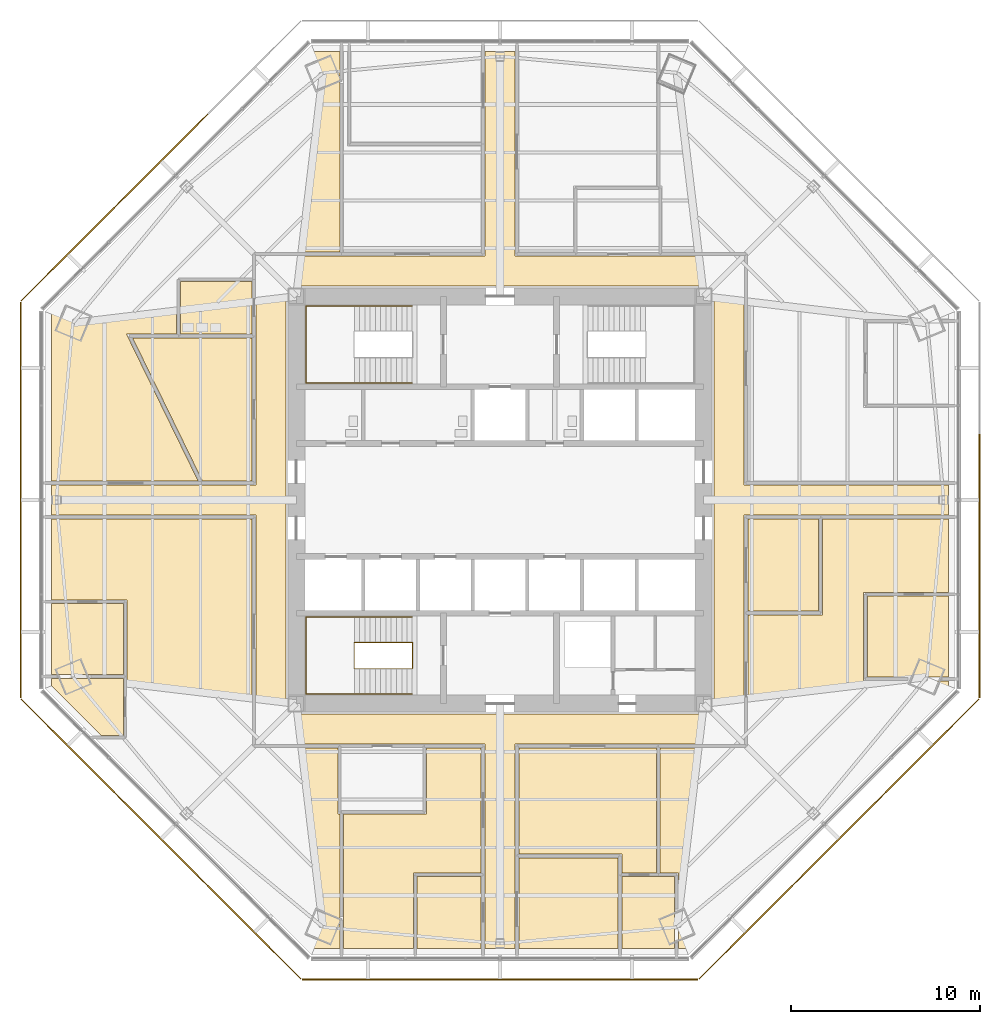
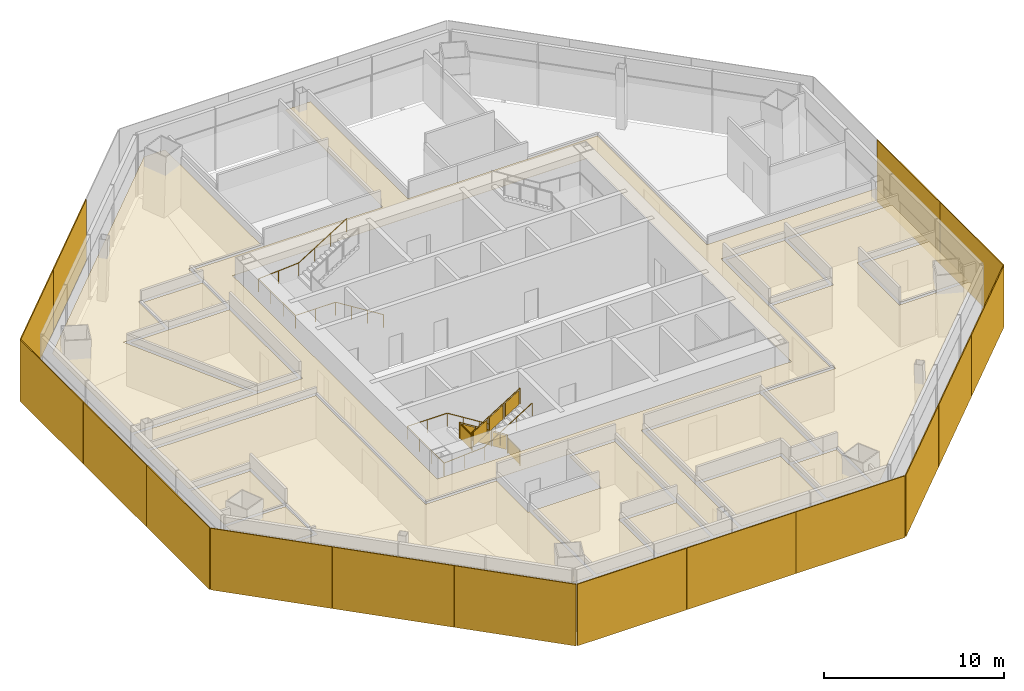
# One storey, part 12 of 14: 16 shading devices, 15 coverings, 3 railings.
"""IFC4 building model written with IfcOpenShell, lengths in metres."""

from ifc_helpers import new_model, si_unit, direction, frame, origin, origin_2d, place, context, subcontext, project, spatial, polyline, rectangle, circle, outline, extrude, source, transform, mapped, material, layer, layer_set, type_object, type_shapes, element, save


model = new_model("IFC4")

# Units and contexts
model_context = context("Model", 3, precision=1e-05, world=origin(), true_north=direction((0.0, 1.0)))
body_context = subcontext(model_context, "Body", "Model", "MODEL_VIEW")
ifc_project = project(units=[si_unit("LENGTHUNIT", "METRE"), si_unit("AREAUNIT", "SQUARE_METRE"), si_unit("VOLUMEUNIT", "CUBIC_METRE"), si_unit("PLANEANGLEUNIT", "RADIAN"), si_unit("MASSUNIT", "GRAM", prefix="KILO")], contexts=[model_context])

# Site, building, storey
site_placement = place(None, origin())
site = spatial("IfcSite", under=ifc_project, at=site_placement, CompositionType="ELEMENT")
building_placement = place(site_placement, origin())
building = spatial("IfcBuilding", under=site, at=building_placement, Name="Mashrafa Tower", CompositionType="ELEMENT")
storey_placement = place(building_placement, frame((0.0, 0.0, 130.199951171875)))
storey = spatial("IfcBuildingStorey", under=building, at=storey_placement, Name="L29", CompositionType="ELEMENT", Elevation=130.199951171875)

# Railings
ifc_material_1 = material(Name="Steel guard with glass infill", Category="steel")
railing_type_1 = type_object("IfcRailingType", Name="Stair guard 1100", PredefinedType="GUARDRAIL", material=ifc_material_1)
railing_1_placement = place(storey_placement, frame((-4.64990234375, -8.949951171875, 0.0)))
element("IfcRailing", 1, at=railing_1_placement, inside=storey, type_object=railing_type_1, Name="Stair S3 guard L29", PredefinedType="GUARDRAIL", context=body_context, shape_type="SweptSolid", body=[
    extrude(circle(Radius=0.02392578125, at=origin_2d()), frame((0.0, 0.0, 1.076171875), z_axis=(0.0, 1.0, 0.0), x_axis=(-1.0, 0.0, 0.0)), (0.0, 0.0, 1.0), 1.39990234375),
    extrude(circle(Radius=0.02392578125, at=origin_2d()), frame((0.0, 1.39990234375, 1.076171875), z_axis=(0.0, 0.0, 1.0), x_axis=(1.0, 0.0, 0.0)), (0.0, 0.0, 1.0), 0.175048828125),
    extrude(circle(Radius=0.02392578125, at=origin_2d()), frame((0.0, 1.39990234375, 1.2509765625), z_axis=(-0.847998304005, 0.0, 0.529998940003), x_axis=(0.0, -1.0, 0.0)), (0.0, 0.0, 1.0), 3.632080078125),
    extrude(circle(Radius=0.02392578125, at=origin_2d()), frame((-3.080078125, 1.39990234375, 3.17626953125), z_axis=(0.0, -1.0, 0.0), x_axis=(1.0, 0.0, 0.0)), (0.0, 0.0, 1.0), 1.39990234375),
    extrude(circle(Radius=0.02392578125, at=origin_2d()), frame((-3.080078125, 0.0, 3.17626953125), z_axis=(0.0, 0.0, 1.0), x_axis=(1.0, 0.0, 0.0)), (0.0, 0.0, 1.0), 0.175048828125),
    extrude(circle(Radius=0.02392578125, at=origin_2d()), frame((-3.080078125, 0.0, 3.35107421875), z_axis=(0.848028513186, 0.0, 0.529950602248), x_axis=(0.0, 1.0, 0.0)), (0.0, 0.0, 1.0), 3.632080078125),
    extrude(circle(Radius=0.02099609375, at=origin_2d()), origin(), (0.0, 0.0, 1.0), 1.052001953125),
    extrude(circle(Radius=0.02099609375, at=origin_2d()), frame((0.0, 1.39990234375, 0.0)), (0.0, 0.0, 1.0), 1.052001953125),
    extrude(circle(Radius=0.02099609375, at=origin_2d()), frame((0.0, 1.39990234375, 0.175048828125)), (0.0, 0.0, 1.0), 1.052001953125),
    extrude(circle(Radius=0.02099609375, at=origin_2d()), frame((-1.026611328125, 1.39990234375, 0.816650390625)), (0.0, 0.0, 1.0), 1.052001953125),
    extrude(circle(Radius=0.02099609375, at=origin_2d()), frame((-2.053466796875, 1.39990234375, 1.45849609375)), (0.0, 0.0, 1.0), 1.052001953125),
    extrude(circle(Radius=0.02099609375, at=origin_2d()), frame((-3.080078125, 1.39990234375, 2.10009765625)), (0.0, 0.0, 1.0), 1.052001953125),
    extrude(circle(Radius=0.02099609375, at=origin_2d()), frame((-3.080078125, 0.0, 2.10009765625)), (0.0, 0.0, 1.0), 1.052001953125),
    extrude(circle(Radius=0.02099609375, at=origin_2d()), frame((-3.080078125, 0.0, 2.275146484375)), (0.0, 0.0, 1.0), 1.052001953125),
    extrude(circle(Radius=0.02099609375, at=origin_2d()), frame((-2.053466796875, 0.0, 2.916748046875)), (0.0, 0.0, 1.0), 1.052001953125),
    extrude(circle(Radius=0.02099609375, at=origin_2d()), frame((-1.026611328125, 0.0, 3.558349609375)), (0.0, 0.0, 1.0), 1.052001953125),
    extrude(circle(Radius=0.02099609375, at=origin_2d()), frame((0.0, 0.0, 4.199951171875)), (0.0, 0.0, 1.0), 1.052001953125),
    extrude(outline(polyline([(0.071044921875, 0.050048828125), (1.328857421875, 0.050048828125), (1.328857421875, 1.001953125), (0.071044921875, 1.001953125), (0.071044921875, 0.050048828125)])), frame((0.006103515625, 0.0, 0.0), z_axis=(1.0, 0.0, 0.0), x_axis=(0.0, 1.0, 0.0)), (0.0, 0.0, 1.0), 0.011962890625),
    extrude(outline(polyline([(0.071044921875, 0.094482421875), (0.955810546875, 0.647216796875), (0.955810546875, 1.599365234375), (0.071044921875, 1.04638671875), (0.071044921875, 0.094482421875)])), frame((0.0, 1.406005859375, 0.175048828125), z_axis=(0.0, 1.0, 0.0), x_axis=(-1.0, 0.0, 0.0)), (0.0, 0.0, 1.0), 0.011962890625),
    extrude(outline(polyline([(1.09765625, 0.736083984375), (1.982421875, 1.2890625), (1.982421875, 2.240966796875), (1.09765625, 1.68798828125), (1.09765625, 0.736083984375)])), frame((0.0, 1.406005859375, 0.175048828125), z_axis=(0.0, 1.0, 0.0), x_axis=(-1.0, 0.0, 0.0)), (0.0, 0.0, 1.0), 0.011962890625),
    extrude(outline(polyline([(2.124267578125, 1.377685546875), (3.009033203125, 1.9306640625), (3.009033203125, 2.882568359375), (2.124267578125, 2.329833984375), (2.124267578125, 1.377685546875)])), frame((0.0, 1.406005859375, 0.175048828125), z_axis=(0.0, 1.0, 0.0), x_axis=(-1.0, 0.0, 0.0)), (0.0, 0.0, 1.0), 0.011962890625),
    extrude(outline(polyline([(0.071044921875, 0.050048828125), (1.328857421875, 0.050048828125), (1.328857421875, 1.001953125), (0.071044921875, 1.001953125), (0.071044921875, 0.050048828125)])), frame((-3.086181640625, 1.39990234375, 2.10009765625), z_axis=(-1.0, 0.0, 0.0), x_axis=(0.0, -1.0, 0.0)), (0.0, 0.0, 1.0), 0.011962890625),
    extrude(outline(polyline([(0.071044921875, 0.094482421875), (0.955810546875, 0.647216796875), (0.955810546875, 1.59912109375), (0.071044921875, 1.04638671875), (0.071044921875, 0.094482421875)])), frame((-3.080078125, -0.006103515625, 2.275146484375), z_axis=(0.0, -1.0, 0.0), x_axis=(1.0, 0.0, 0.0)), (0.0, 0.0, 1.0), 0.011962890625),
    extrude(outline(polyline([(1.09765625, 0.736083984375), (1.982421875, 1.288818359375), (1.982421875, 2.24072265625), (1.09765625, 1.68798828125), (1.09765625, 0.736083984375)])), frame((-3.080078125, -0.006103515625, 2.275146484375), z_axis=(0.0, -1.0, 0.0), x_axis=(1.0, 0.0, 0.0)), (0.0, 0.0, 1.0), 0.011962890625),
    extrude(outline(polyline([(2.124267578125, 1.377685546875), (3.009033203125, 1.930419921875), (3.009033203125, 2.88232421875), (2.124267578125, 2.32958984375), (2.124267578125, 1.377685546875)])), frame((-3.080078125, -0.006103515625, 2.275146484375), z_axis=(0.0, -1.0, 0.0), x_axis=(1.0, 0.0, 0.0)), (0.0, 0.0, 1.0), 0.011962890625),
])
ifc_material_2 = material(Name="Steel", Category="steel")
railing_type_2 = type_object("IfcRailingType", Name="Stair handrail 900", PredefinedType="HANDRAIL", material=ifc_material_2)
railing_2_placement = place(storey_placement, frame((-4.64990234375, 6.199951171875, 0.175048828125)))
element("IfcRailing", 2, at=railing_2_placement, inside=storey, type_object=railing_type_2, Name="Stair S1 handrail L29", PredefinedType="HANDRAIL", context=body_context, shape_type="SweptSolid", body=[
    extrude(circle(Radius=0.02392578125, at=origin_2d()), frame((0.0, 0.0, 0.8759765625), z_axis=(-0.847998304005, 0.0, 0.529998940003), x_axis=(0.0, -1.0, 0.0)), (0.0, 0.0, 1.0), 3.632080078125),
    extrude(circle(Radius=0.02392578125, at=origin_2d()), frame((-3.080078125, 0.0, 2.80078125), z_axis=(-1.0, 0.0, 0.0), x_axis=(0.0, -1.0, 0.0)), (0.0, 0.0, 1.0), 2.570068359375),
    extrude(circle(Radius=0.02392578125, at=origin_2d()), frame((-5.650146484375, 0.0, 2.80078125), z_axis=(0.0, 1.0, 0.0), x_axis=(-1.0, 0.0, 0.0)), (0.0, 0.0, 1.0), 4.10009765625),
    extrude(circle(Radius=0.02392578125, at=origin_2d()), frame((-5.650146484375, 4.10009765625, 2.80078125), z_axis=(0.997688514158, 0.0, 0.067953136188), x_axis=(0.0, 1.0, 0.0)), (0.0, 0.0, 1.0), 2.575927734375),
    extrude(circle(Radius=0.02392578125, at=origin_2d()), frame((-3.080078125, 4.10009765625, 2.97607421875), z_axis=(0.848028513186, 0.0, 0.529950602248), x_axis=(0.0, 1.0, 0.0)), (0.0, 0.0, 1.0), 3.632080078125),
    extrude(circle(Radius=0.02099609375, at=origin_2d()), origin(), (0.0, 0.0, 1.0), 0.851806640625),
    extrude(circle(Radius=0.02099609375, at=origin_2d()), frame((-1.026611328125, 0.0, 0.6416015625)), (0.0, 0.0, 1.0), 0.851806640625),
    extrude(circle(Radius=0.02099609375, at=origin_2d()), frame((-2.053466796875, 0.0, 1.283447265625)), (0.0, 0.0, 1.0), 0.851806640625),
    extrude(circle(Radius=0.02099609375, at=origin_2d()), frame((-3.080078125, 0.0, 1.925048828125)), (0.0, 0.0, 1.0), 0.851806640625),
    extrude(circle(Radius=0.02099609375, at=origin_2d()), frame((-4.365234375, 0.0, 1.925048828125)), (0.0, 0.0, 1.0), 0.851806640625),
    extrude(circle(Radius=0.02099609375, at=origin_2d()), frame((-5.650146484375, 0.0, 1.925048828125)), (0.0, 0.0, 1.0), 0.851806640625),
    extrude(circle(Radius=0.02099609375, at=origin_2d()), frame((-5.650146484375, 1.36669921875, 1.925048828125)), (0.0, 0.0, 1.0), 0.851806640625),
    extrude(circle(Radius=0.02099609375, at=origin_2d()), frame((-5.650146484375, 2.7333984375, 1.925048828125)), (0.0, 0.0, 1.0), 0.851806640625),
    extrude(circle(Radius=0.02099609375, at=origin_2d()), frame((-5.650146484375, 4.10009765625, 1.925048828125)), (0.0, 0.0, 1.0), 0.851806640625),
    extrude(circle(Radius=0.02099609375, at=origin_2d()), frame((-4.365234375, 4.10009765625, 2.0126953125)), (0.0, 0.0, 1.0), 0.851806640625),
    extrude(circle(Radius=0.02099609375, at=origin_2d()), frame((-3.080078125, 4.10009765625, 2.10009765625)), (0.0, 0.0, 1.0), 0.851806640625),
    extrude(circle(Radius=0.02099609375, at=origin_2d()), frame((-2.053466796875, 4.10009765625, 2.74169921875)), (0.0, 0.0, 1.0), 0.851806640625),
    extrude(circle(Radius=0.02099609375, at=origin_2d()), frame((-1.026611328125, 4.10009765625, 3.38330078125)), (0.0, 0.0, 1.0), 0.851806640625),
    extrude(circle(Radius=0.02099609375, at=origin_2d()), frame((0.0, 4.10009765625, 4.02490234375)), (0.0, 0.0, 1.0), 0.851806640625),
])
railing_3_placement = place(storey_placement, frame((-4.64990234375, -6.199951171875, 0.175048828125)))
element("IfcRailing", 3, at=railing_3_placement, inside=storey, type_object=railing_type_2, Name="Stair S3 handrail L29", PredefinedType="HANDRAIL", context=body_context, shape_type="SweptSolid", body=[
    extrude(circle(Radius=0.02392578125, at=origin_2d()), frame((0.0, 0.0, 0.8759765625), z_axis=(-0.847998304005, 0.0, 0.529998940003), x_axis=(0.0, -1.0, 0.0)), (0.0, 0.0, 1.0), 3.632080078125),
    extrude(circle(Radius=0.02392578125, at=origin_2d()), frame((-3.080078125, 0.0, 2.80078125), z_axis=(-1.0, 0.0, 0.0), x_axis=(0.0, -1.0, 0.0)), (0.0, 0.0, 1.0), 2.570068359375),
    extrude(circle(Radius=0.02392578125, at=origin_2d()), frame((-5.650146484375, 0.0, 2.80078125), z_axis=(0.0, -1.0, 0.0), x_axis=(1.0, 0.0, 0.0)), (0.0, 0.0, 1.0), 4.10009765625),
    extrude(circle(Radius=0.02392578125, at=origin_2d()), frame((-5.650146484375, -4.10009765625, 2.80078125), z_axis=(0.997688514158, 0.0, 0.067953136188), x_axis=(0.0, 1.0, 0.0)), (0.0, 0.0, 1.0), 2.575927734375),
    extrude(circle(Radius=0.02392578125, at=origin_2d()), frame((-3.080078125, -4.10009765625, 2.97607421875), z_axis=(0.848028513186, 0.0, 0.529950602248), x_axis=(0.0, 1.0, 0.0)), (0.0, 0.0, 1.0), 3.632080078125),
    extrude(circle(Radius=0.02099609375, at=origin_2d()), origin(), (0.0, 0.0, 1.0), 0.851806640625),
    extrude(circle(Radius=0.02099609375, at=origin_2d()), frame((-1.026611328125, 0.0, 0.6416015625)), (0.0, 0.0, 1.0), 0.851806640625),
    extrude(circle(Radius=0.02099609375, at=origin_2d()), frame((-2.053466796875, 0.0, 1.283447265625)), (0.0, 0.0, 1.0), 0.851806640625),
    extrude(circle(Radius=0.02099609375, at=origin_2d()), frame((-3.080078125, 0.0, 1.925048828125)), (0.0, 0.0, 1.0), 0.851806640625),
    extrude(circle(Radius=0.02099609375, at=origin_2d()), frame((-4.365234375, 0.0, 1.925048828125)), (0.0, 0.0, 1.0), 0.851806640625),
    extrude(circle(Radius=0.02099609375, at=origin_2d()), frame((-5.650146484375, 0.0, 1.925048828125)), (0.0, 0.0, 1.0), 0.851806640625),
    extrude(circle(Radius=0.02099609375, at=origin_2d()), frame((-5.650146484375, -1.36669921875, 1.925048828125)), (0.0, 0.0, 1.0), 0.851806640625),
    extrude(circle(Radius=0.02099609375, at=origin_2d()), frame((-5.650146484375, -2.7333984375, 1.925048828125)), (0.0, 0.0, 1.0), 0.851806640625),
    extrude(circle(Radius=0.02099609375, at=origin_2d()), frame((-5.650146484375, -4.10009765625, 1.925048828125)), (0.0, 0.0, 1.0), 0.851806640625),
    extrude(circle(Radius=0.02099609375, at=origin_2d()), frame((-4.365234375, -4.10009765625, 2.0126953125)), (0.0, 0.0, 1.0), 0.851806640625),
    extrude(circle(Radius=0.02099609375, at=origin_2d()), frame((-3.080078125, -4.10009765625, 2.10009765625)), (0.0, 0.0, 1.0), 0.851806640625),
    extrude(circle(Radius=0.02099609375, at=origin_2d()), frame((-2.053466796875, -4.10009765625, 2.74169921875)), (0.0, 0.0, 1.0), 0.851806640625),
    extrude(circle(Radius=0.02099609375, at=origin_2d()), frame((-1.026611328125, -4.10009765625, 3.38330078125)), (0.0, 0.0, 1.0), 0.851806640625),
    extrude(circle(Radius=0.02099609375, at=origin_2d()), frame((0.0, -4.10009765625, 4.02490234375)), (0.0, 0.0, 1.0), 0.851806640625),
])

# Coverings
ifc_material_3 = material(Name="Mineral fibre tile on suspension grid")
ifc_layer_1 = layer(ifc_material_3, 0.014892578125)
ifc_layer_set_1 = layer_set([ifc_layer_1], Name="Suspended ceiling mineral tile 15")
covering_type = type_object("IfcCoveringType", Name="Suspended ceiling mineral tile 15", PredefinedType="CEILING", material=ifc_layer_set_1)
covering_1_placement = place(storey_placement, frame((0.0, 0.0, 2.900146484375)))
element("IfcCovering", 4, at=covering_1_placement, inside=storey, type_object=covering_type, Name="Ceiling Office Corridor L29", PredefinedType="CEILING", context=body_context, shape_type="SweptSolid", body=[
    extrude(outline(polyline([(-12.949951171875, -12.949951171875), (-12.949951171875, -0.800048828125), (-23.781494140625, -0.800048828125), (-23.781494140625, 0.800048828125), (-12.949951171875, 0.800048828125), (-12.949951171875, 12.949951171875), (-0.800048828125, 12.949951171875), (-0.800048828125, 23.781494140625), (0.800048828125, 23.781494140625), (0.800048828125, 12.949951171875), (12.949951171875, 12.949951171875), (12.949951171875, 0.800048828125), (23.781494140625, 0.800048828125), (23.781494140625, -0.800048828125), (12.949951171875, -0.800048828125), (12.949951171875, -12.949951171875), (0.800048828125, -12.949951171875), (0.800048828125, -23.781494140625), (-0.800048828125, -23.781494140625), (-0.800048828125, -12.949951171875), (-12.949951171875, -12.949951171875)]), holes=[polyline([(11.35009765625, 11.35009765625), (-11.35009765625, 11.35009765625), (-11.35009765625, -11.35009765625), (11.35009765625, -11.35009765625), (11.35009765625, 11.35009765625)])]), origin(), (0.0, 0.0, 1.0), 0.014892578125),
])
covering_2_placement = place(storey_placement, frame((0.0, 0.0, 2.900146484375)))
element("IfcCovering", 5, at=covering_2_placement, inside=storey, type_object=covering_type, Name="Ceiling Musallah Prayer Room 29", PredefinedType="CEILING", context=body_context, shape_type="SweptSolid", body=[
    extrude(outline(polyline([(-15.783203125, 1.0), (-19.489990234375, 8.60009765625), (-13.14990234375, 8.60009765625), (-13.14990234375, 1.0), (-15.783203125, 1.0)])), origin(), (0.0, 0.0, 1.0), 0.014892578125),
])
covering_3_placement = place(storey_placement, frame((0.0, 0.0, 2.900146484375)))
element("IfcCovering", 6, at=covering_3_placement, inside=storey, type_object=covering_type, Name="Ceiling Ablution Room L29", PredefinedType="CEILING", context=body_context, shape_type="SweptSolid", body=[
    extrude(outline(polyline([(-16.949951171875, 8.800048828125), (-16.949951171875, 11.60009765625), (-13.14990234375, 11.60009765625), (-13.14990234375, 8.800048828125), (-16.949951171875, 8.800048828125)])), origin(), (0.0, 0.0, 1.0), 0.014892578125),
])
covering_4_placement = place(storey_placement, frame((0.0, 0.0, 2.900146484375)))
element("IfcCovering", 7, at=covering_4_placement, inside=storey, type_object=covering_type, Name="Ceiling Reception 29-S", PredefinedType="CEILING", context=body_context, shape_type="SweptSolid", body=[
    extrude(outline(polyline([(13.14990234375, -1.0), (16.89990234375, -1.0), (16.89990234375, -5.89990234375), (13.14990234375, -5.89990234375), (13.14990234375, -1.0)])), origin(), (0.0, 0.0, 1.0), 0.014892578125),
])
covering_5_placement = place(storey_placement, frame((0.0, 0.0, 2.900146484375)))
element("IfcCovering", 8, at=covering_5_placement, inside=storey, type_object=covering_type, Name="Ceiling Meeting Room 29-S-SE1", PredefinedType="CEILING", context=body_context, shape_type="SweptSolid", body=[
    extrude(outline(polyline([(19.4814453125, -5.10009765625), (23.781494140625, -5.10009765625), (23.781494140625, -9.39990234375), (19.4814453125, -9.39990234375), (19.4814453125, -5.10009765625)])), origin(), (0.0, 0.0, 1.0), 0.014892578125),
])
covering_6_placement = place(storey_placement, frame((0.0, 0.0, 2.900146484375)))
element("IfcCovering", 9, at=covering_6_placement, inside=storey, type_object=covering_type, Name="Ceiling Training Room 29-S", PredefinedType="CEILING", context=body_context, shape_type="SweptSolid", body=[
    extrude(outline(polyline([(1.0, -18.9814453125), (6.259033203125, -18.9814453125), (6.259033203125, -23.781494140625), (1.0, -23.781494140625), (1.0, -18.9814453125)])), origin(), (0.0, 0.0, 1.0), 0.014892578125),
])
covering_7_placement = place(storey_placement, frame((0.0, 0.0, 2.900146484375)))
element("IfcCovering", 10, at=covering_7_placement, inside=storey, type_object=covering_type, Name="Ceiling Interview Room 29-S-SE2", PredefinedType="CEILING", context=body_context, shape_type="SweptSolid", body=[
    extrude(outline(polyline([(6.458984375, -19.9814453125), (9.259033203125, -19.9814453125), (9.259033203125, -23.781494140625), (6.458984375, -23.781494140625), (6.458984375, -19.9814453125)])), origin(), (0.0, 0.0, 1.0), 0.014892578125),
])
covering_8_placement = place(storey_placement, frame((0.0, 0.0, 2.900146484375)))
element("IfcCovering", 11, at=covering_8_placement, inside=storey, type_object=covering_type, Name="Ceiling Huddle Room 29-S", PredefinedType="CEILING", context=body_context, shape_type="SweptSolid", body=[
    extrude(outline(polyline([(-4.39990234375, -19.9814453125), (-1.0, -19.9814453125), (-1.0, -23.781494140625), (-4.39990234375, -23.781494140625), (-4.39990234375, -19.9814453125)])), origin(), (0.0, 0.0, 1.0), 0.014892578125),
])
covering_9_placement = place(storey_placement, frame((0.0, 0.0, 2.900146484375)))
element("IfcCovering", 12, at=covering_9_placement, inside=storey, type_object=covering_type, Name="Ceiling Office 29-S-SW1-1", PredefinedType="CEILING", context=body_context, shape_type="SweptSolid", body=[
    extrude(outline(polyline([(-19.9814453125, -5.5), (-19.9814453125, -9.259033203125), (-23.781494140625, -9.259033203125), (-23.781494140625, -5.5), (-19.9814453125, -5.5)])), origin(), (0.0, 0.0, 1.0), 0.014892578125),
])
covering_10_placement = place(storey_placement, frame((0.0, 0.0, 2.900146484375)))
element("IfcCovering", 13, at=covering_10_placement, inside=storey, type_object=covering_type, Name="Ceiling Office 29-S-SW1-2", PredefinedType="CEILING", context=body_context, shape_type="SweptSolid", body=[
    extrude(outline(polyline([(-19.9814453125, -9.458984375), (-19.9814453125, -12.5), (-21.132080078125, -12.5), (-23.781494140625, -9.8505859375), (-23.781494140625, -9.458984375), (-19.9814453125, -9.458984375)])), origin(), (0.0, 0.0, 1.0), 0.014892578125),
])
covering_11_placement = place(storey_placement, frame((0.0, 0.0, 2.900146484375)))
element("IfcCovering", 14, at=covering_11_placement, inside=storey, type_object=covering_type, Name="Ceiling Office Tenancy 29-N-NW1", PredefinedType="CEILING", context=body_context, shape_type="SweptSolid", body=[
    extrude(outline(polyline([(-23.781494140625, 1.0), (-23.781494140625, 9.8505859375), (-9.8505859375, 23.781494140625), (-8.5, 23.781494140625), (-8.5, 13.14990234375), (-13.14990234375, 13.14990234375), (-13.14990234375, 11.800048828125), (-17.14990234375, 11.800048828125), (-17.14990234375, 8.800048828125), (-19.81005859375, 8.800048828125), (-16.005615234375, 1.0), (-23.781494140625, 1.0)])), origin(), (0.0, 0.0, 1.0), 0.014892578125),
])
covering_12_placement = place(storey_placement, frame((0.0, 0.0, 2.900146484375)))
element("IfcCovering", 15, at=covering_12_placement, inside=storey, type_object=covering_type, Name="Ceiling Office Tenancy 29-S-SW1", PredefinedType="CEILING", context=body_context, shape_type="SweptSolid", body=[
    extrude(outline(polyline([(-9.8505859375, -23.781494140625), (-20.93212890625, -12.699951171875), (-19.781494140625, -12.699951171875), (-19.781494140625, -5.300048828125), (-23.781494140625, -5.300048828125), (-23.781494140625, -1.0), (-13.14990234375, -1.0), (-13.14990234375, -13.14990234375), (-8.60009765625, -13.14990234375), (-8.60009765625, -16.64990234375), (-8.5, -16.64990234375), (-8.5, -23.781494140625), (-9.8505859375, -23.781494140625)])), origin(), (0.0, 0.0, 1.0), 0.014892578125),
])
covering_13_placement = place(storey_placement, frame((0.0, 0.0, 2.900146484375)))
element("IfcCovering", 16, at=covering_13_placement, inside=storey, type_object=covering_type, Name="Ceiling Office Tenancy 29-S-SW2", PredefinedType="CEILING", context=body_context, shape_type="SweptSolid", body=[
    extrude(outline(polyline([(-4.60009765625, -23.781494140625), (-8.300048828125, -23.781494140625), (-8.300048828125, -16.64990234375), (-3.89990234375, -16.64990234375), (-3.89990234375, -13.14990234375), (-1.0, -13.14990234375), (-1.0, -19.781494140625), (-4.60009765625, -19.781494140625), (-4.60009765625, -23.781494140625)])), origin(), (0.0, 0.0, 1.0), 0.014892578125),
])
covering_14_placement = place(storey_placement, frame((0.0, 0.0, 2.900146484375)))
element("IfcCovering", 17, at=covering_14_placement, inside=storey, type_object=covering_type, Name="Ceiling Office Tenancy 29-S-SE1", PredefinedType="CEILING", context=body_context, shape_type="SweptSolid", body=[
    extrude(outline(polyline([(23.781494140625, -1.0), (23.781494140625, -4.89990234375), (19.281494140625, -4.89990234375), (19.281494140625, -9.60009765625), (23.781494140625, -9.60009765625), (23.781494140625, -9.8505859375), (9.8505859375, -23.781494140625), (9.458984375, -23.781494140625), (9.458984375, -19.781494140625), (8.5, -19.781494140625), (8.5, -13.14990234375), (13.14990234375, -13.14990234375), (13.14990234375, -6.10009765625), (17.10009765625, -6.10009765625), (17.10009765625, -1.0), (23.781494140625, -1.0)])), origin(), (0.0, 0.0, 1.0), 0.014892578125),
])
covering_15_placement = place(storey_placement, frame((0.0, 0.0, 2.900146484375)))
element("IfcCovering", 18, at=covering_15_placement, inside=storey, type_object=covering_type, Name="Ceiling Office Tenancy 29-S-SE2", PredefinedType="CEILING", context=body_context, shape_type="SweptSolid", body=[
    extrude(outline(polyline([(8.300048828125, -13.14990234375), (8.300048828125, -19.781494140625), (6.458984375, -19.781494140625), (6.458984375, -18.781494140625), (1.0, -18.781494140625), (1.0, -13.14990234375), (8.300048828125, -13.14990234375)])), origin(), (0.0, 0.0, 1.0), 0.014892578125),
])

# Shading devices
ifc_material_4 = material(Name="Perforated aluminium plate, eight-point star pattern", Category="aluminium")
ifc_layer_2 = layer(ifc_material_4, 0.06005859375)
ifc_layer_set_2 = layer_set([ifc_layer_2], Name="Mashrabiya screen panel office zone 2, 40 percent open")
shading_device_type = type_object("IfcShadingDeviceType", Name="Mashrabiya screen panel office zone 2, 40 percent open", PredefinedType="SHUTTER", material=ifc_layer_set_2)
shared_shape = source(origin(), body_context, "Body", "SweptSolid", [
    extrude(rectangle(XDim=6.98779296875, YDim=0.06005859375, at=origin_2d()), origin(), (0.0, 0.0, 1.0), 4.179931640625),
])
type_shapes(shading_device_type, [shared_shape])
for number, where, z_axis, x_axis, name in (
    (19, (25.431640625, -7.0078125, -0.14990234375), (0.0, 0.0, 1.0), (0.0, 1.0, 0.0), "Mashrabiya screen L29 east 1"),
    (20, (25.431640625, 0.0, -0.14990234375), (0.0, 0.0, 1.0), (0.0, 1.0, 0.0), "Mashrabiya screen L29 east 2"),
    (21, (-17.98291015625, 17.98291015625, -0.14990234375), (0.0, 0.0, 1.0), (-0.707106781187, -0.707106781187, 0.0), "Mashrabiya screen L29 north-west 2"),
    (22, (-22.93798828125, 13.027587890625, -0.14990234375), (0.0, 0.0, 1.0), (-0.707106781187, -0.707106781187, 0.0), "Mashrabiya screen L29 north-west 3"),
    (23, (-25.431640625, 7.0078125, -0.14990234375), (0.0, 0.0, 1.0), (0.0, -1.0, 0.0), "Mashrabiya screen L29 west 1"),
    (24, (-25.431640625, 0.0, -0.14990234375), (0.0, 0.0, 1.0), (0.0, -1.0, 0.0), "Mashrabiya screen L29 west 2"),
    (25, (-25.431640625, -7.0078125, -0.14990234375), (0.0, 0.0, 1.0), (0.0, -1.0, 0.0), "Mashrabiya screen L29 west 3"),
    (26, (-22.93798828125, -13.027587890625, -0.14990234375), (0.0, 0.0, 1.0), (0.707106781187, -0.707106781187, 0.0), "Mashrabiya screen L29 south-west 1"),
    (27, (-17.98291015625, -17.98291015625, -0.14990234375), (0.0, 0.0, 1.0), (0.707106781187, -0.707106781187, 0.0), "Mashrabiya screen L29 south-west 2"),
    (28, (-13.027587890625, -22.93798828125, -0.14990234375), (0.0, 0.0, 1.0), (0.707106781187, -0.707106781187, 0.0), "Mashrabiya screen L29 south-west 3"),
    (29, (-7.0078125, -25.431640625, -0.14990234375), (0.0, 0.0, 1.0), (1.0, 0.0, 0.0), "Mashrabiya screen L29 south 1"),
    (30, (0.0, -25.431640625, -0.14990234375), (0.0, 0.0, 1.0), (1.0, 0.0, 0.0), "Mashrabiya screen L29 south 2"),
    (31, (7.0078125, -25.431640625, -0.14990234375), (0.0, 0.0, 1.0), (1.0, 0.0, 0.0), "Mashrabiya screen L29 south 3"),
    (32, (13.027587890625, -22.93798828125, -0.14990234375), (0.0, 0.0, 1.0), (0.707106781187, 0.707106781187, 0.0), "Mashrabiya screen L29 south-east 1"),
    (33, (17.98291015625, -17.98291015625, -0.14990234375), (0.0, 0.0, 1.0), (0.707106781187, 0.707106781187, 0.0), "Mashrabiya screen L29 south-east 2"),
    (34, (22.93798828125, -13.027587890625, -0.14990234375), (0.0, 0.0, 1.0), (0.707106781187, 0.707106781187, 0.0), "Mashrabiya screen L29 south-east 3"),
):
    element("IfcShadingDevice", number, at=place(storey_placement, frame(where, z_axis=z_axis, x_axis=x_axis)), inside=storey, type_object=shading_device_type, Name=name, PredefinedType="SHUTTER", context=body_context, shape_type="MappedRepresentation", body=[
        mapped(shared_shape, transform((0.0, 0.0, 0.0))),
    ])

save(model, "model.ifc")
